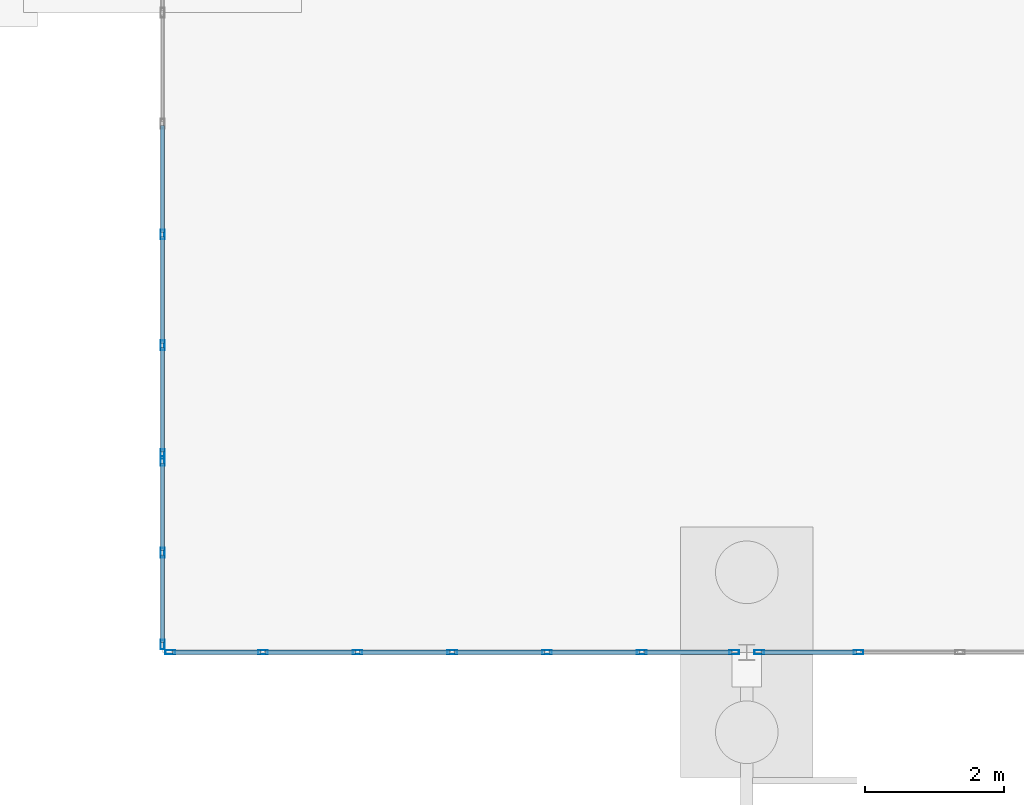
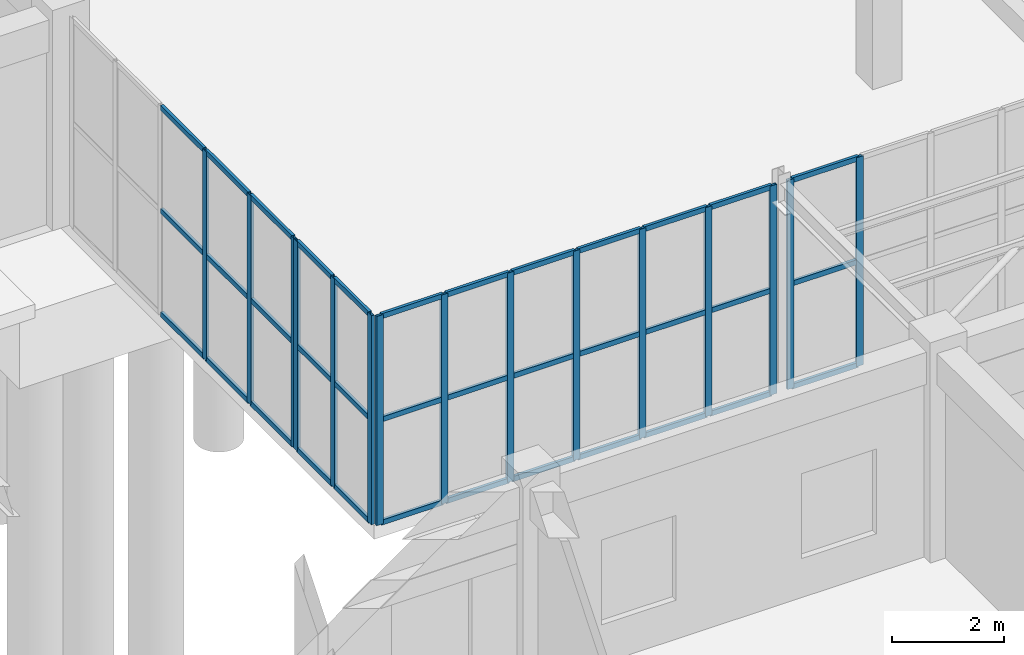
# One storey, part 67 of 192: 51 members, 4 elements without a shape of their own.
"""IFC4 building model written with IfcOpenShell, lengths in metres."""

import ifcopenshell
import ifcopenshell.guid

model = None  # the IFC model being written
_history = None  # IfcOwnerHistory: only IFC2X3 demands one
_inside = {}  # id of a spatial element -> (the spatial element, [elements in it])
_under = {}  # id of a project, library or spatial element -> (it, [spatial elements below it])
_declared = {}  # id of a project -> (the project, [libraries it declares])
_typed = {}  # id of a type object -> (the type object, [elements of that type])
_made_of = {}  # id of a material, layer set ... -> (it, [elements and type objects made of it])


def new_model(schema):
    """Start an empty IFC model of exactly this schema.

    Asked for "IFC4X3", IfcOpenShell would pick the latest addendum, in which some entities
    have other attributes; the version numbers below select the first issue.
    IFC2X3 requires an IfcOwnerHistory on every rooted entity: one is made here for all.
    """
    global model, _history
    if schema == "IFC4X3":
        model = ifcopenshell.file(schema_version=(4, 3, 0, 0))
    else:
        model = ifcopenshell.file(schema=schema)
    _inside.clear()
    _under.clear()
    _declared.clear()
    _typed.clear()
    _made_of.clear()
    _history = None
    if model.schema == "IFC2X3":
        org = make("IfcOrganization", Name="unknown")
        user = make(
            "IfcPersonAndOrganization",
            ThePerson=make("IfcPerson", FamilyName="unknown"),
            TheOrganization=org,
        )
        app = make(
            "IfcApplication",
            ApplicationDeveloper=org,
            Version="unknown",
            ApplicationFullName="unknown",
            ApplicationIdentifier="unknown",
        )
        _history = make(
            "IfcOwnerHistory",
            OwningUser=user,
            OwningApplication=app,
            ChangeAction="ADDED",
            CreationDate=0,
        )
    return model


def make(cls, **values):
    """One entity of the class cls with the attributes given. An attribute that is None is left unset."""
    return model.create_entity(
        cls, **{name: value for name, value in values.items() if value is not None}
    )


def rooted(cls, **values):
    """An entity with a GlobalId (a new one), such as an element, a storey or a relation."""
    return make(cls, GlobalId=ifcopenshell.guid.new(), OwnerHistory=_history, **values)


def si_unit(unit_type, name, prefix=None):
    """IfcSIUnit, for example si_unit("LENGTHUNIT", "METRE", prefix="MILLI")."""
    return make("IfcSIUnit", UnitType=unit_type, Prefix=prefix, Name=name)


def assignment(units):
    """IfcUnitAssignment: the units of a project."""
    return None if units is None else make("IfcUnitAssignment", Units=units)


def point(xyz):
    """IfcCartesianPoint."""
    return None if xyz is None else make("IfcCartesianPoint", Coordinates=xyz)


def direction(xyz):
    """IfcDirection."""
    return None if xyz is None else make("IfcDirection", DirectionRatios=xyz)


def frame(location, z_axis=None, x_axis=None):
    """IfcAxis2Placement3D, a coordinate frame: its origin and axes. An axis left out is left unset."""
    return make(
        "IfcAxis2Placement3D",
        Location=point(location),
        Axis=direction(z_axis),
        RefDirection=direction(x_axis),
    )


def frame_2d(location, x_axis=None):
    """IfcAxis2Placement2D, a coordinate frame in the plane: its origin and x axis."""
    return make(
        "IfcAxis2Placement2D", Location=point(location), RefDirection=direction(x_axis)
    )


def origin():
    """The frame at (0, 0, 0) with its axes left unset."""
    return frame((0.0, 0.0, 0.0))


def origin_2d():
    """The frame at (0, 0) in the plane with its x axis left unset."""
    return frame_2d((0.0, 0.0))


def place(relative_to, where):
    """IfcLocalPlacement: puts the frame where relative to a parent placement (None: the world)."""
    return make(
        "IfcLocalPlacement", PlacementRelTo=relative_to, RelativePlacement=where
    )


def context(
    kind, dimensions, precision=None, world=None, true_north=None, identifier=None
):
    """IfcGeometricRepresentationContext, for example the 3D "Model" context."""
    return make(
        "IfcGeometricRepresentationContext",
        ContextIdentifier=identifier,
        ContextType=kind,
        CoordinateSpaceDimension=dimensions,
        Precision=precision,
        WorldCoordinateSystem=world,
        TrueNorth=true_north,
    )


def subcontext(parent, identifier, kind, view, scale=None):
    """IfcGeometricRepresentationSubContext, for example "Body" below "Model"."""
    return make(
        "IfcGeometricRepresentationSubContext",
        ContextIdentifier=identifier,
        ContextType=kind,
        ParentContext=parent,
        TargetScale=scale,
        TargetView=view,
    )


def project(units=None, contexts=None):
    """IfcProject with its units and contexts."""
    return rooted(
        "IfcProject",
        Name="project",
        RepresentationContexts=contexts,
        UnitsInContext=assignment(units),
    )


def spatial(cls, under=None, at=None, **own):
    """A site, building, storey or space (cls), placed at a placement, below another one or the project."""
    s = rooted(cls, ObjectPlacement=at, **own)
    if under is not None:
        _under.setdefault(under.id(), (under, []))[1].append(s)
    return s


def profile(cls, at=None, kind="AREA", **sizes):
    """A parametric profile (cls). Its sizes go by their IFC names, for example OverallWidth=200.0."""
    return make(cls, ProfileType=kind, Position=at, **sizes)


def hollow_rectangle(**sizes):
    """IfcRectangleHollowProfileDef."""
    return profile("IfcRectangleHollowProfileDef", **sizes)


def extrude(swept, where, along, depth):
    """IfcExtrudedAreaSolid: the profile swept, set in the frame where, extruded along a direction by depth."""
    return make(
        "IfcExtrudedAreaSolid",
        SweptArea=swept,
        Position=where,
        ExtrudedDirection=direction(along),
        Depth=depth,
    )


def shape(context_of_items, identifier, shape_type, items):
    """IfcShapeRepresentation: the items that make up one representation, for example the "Body"."""
    return make(
        "IfcShapeRepresentation",
        ContextOfItems=context_of_items,
        RepresentationIdentifier=identifier,
        RepresentationType=shape_type,
        Items=items,
    )


def material(Name=None, Category=None):
    """IfcMaterial."""
    return make("IfcMaterial", Name=Name, Category=Category)


def layer(
    of_material, thickness, ventilated=None, Name=None, Category=None, Priority=None
):
    """IfcMaterialLayer: one layer of a wall or slab, of a material (None: an air gap)."""
    return make(
        "IfcMaterialLayer",
        Material=of_material,
        LayerThickness=thickness,
        IsVentilated=ventilated,
        Name=Name,
        Category=Category,
        Priority=Priority,
    )


def layer_set(layers, Name=None):
    """IfcMaterialLayerSet."""
    return make("IfcMaterialLayerSet", MaterialLayers=layers, LayerSetName=Name)


def material_profile(
    of_material, cross_section, Name=None, Category=None, Priority=None
):
    """IfcMaterialProfile: a cross section and its material."""
    return make(
        "IfcMaterialProfile",
        Name=Name,
        Material=of_material,
        Profile=cross_section,
        Priority=Priority,
        Category=Category,
    )


def profile_set(profiles, Name=None, composite=None):
    """IfcMaterialProfileSet."""
    return make(
        "IfcMaterialProfileSet",
        Name=Name,
        MaterialProfiles=profiles,
        CompositeProfile=composite,
    )


def made_of(thing, what):
    """Note that an element or type object is made of a material, layer set ...; save() writes the relation."""
    if what is not None:
        _made_of.setdefault(what.id(), (what, []))[1].append(thing)
    return thing


def type_object(cls, material=None, **own):
    """A type object (cls), such as IfcWallType, which elements share."""
    return made_of(rooted(cls, **own), material)


def element(
    cls,
    number,
    at=None,
    inside=None,
    cuts=None,
    type_object=None,
    material=None,
    context=None,
    identifier="Body",
    shape_type=None,
    held_by="IfcProductDefinitionShape",
    body=None,
    shapes=None,
    **own,
):
    """One element of the class cls, such as IfcWall. Its Tag is "e" and its number.

    at: its placement. inside: the storey or other place that contains it. cuts: it is an
    opening in that element (IfcRelVoidsElement). A single representation is given by context,
    identifier, shape_type and body (its items); several are given by shapes. held_by: the class
    of the entity that holds the representations. save() writes the other relations.
    """
    e = rooted(cls, Tag="e%d" % number, ObjectPlacement=at, **own)
    if body is not None:
        shapes = [shape(context, identifier, shape_type, body)]
    if shapes is not None:
        e.Representation = make(held_by, Representations=shapes)
    if inside is not None:
        _inside.setdefault(inside.id(), (inside, []))[1].append(e)
    if cuts is not None:
        rooted(
            "IfcRelVoidsElement", RelatingBuildingElement=cuts, RelatedOpeningElement=e
        )
    if type_object is not None:
        _typed.setdefault(type_object.id(), (type_object, []))[1].append(e)
    return made_of(e, material)


def aggregate(whole, parts):
    """IfcRelAggregates: a whole, such as a stair, and the parts it consists of."""
    return rooted("IfcRelAggregates", RelatingObject=whole, RelatedObjects=parts)


def save(model, path):
    """Write the relations noted so far, then the file.

    IfcRelAggregates (storeys below a building ...), IfcRelContainedInSpatialStructure (elements
    in a storey), IfcRelDefinesByType, IfcRelAssociatesMaterial and IfcRelDeclares: one each for
    every whole, place, type object, material and project.
    """
    for whole, parts in _under.values():
        aggregate(whole, parts)
    for where, things in _inside.values():
        rooted(
            "IfcRelContainedInSpatialStructure",
            RelatedElements=things,
            RelatingStructure=where,
        )
    for kind, things in _typed.values():
        rooted("IfcRelDefinesByType", RelatedObjects=things, RelatingType=kind)
    for what, things in _made_of.values():
        rooted("IfcRelAssociatesMaterial", RelatedObjects=things, RelatingMaterial=what)
    for by, libraries in _declared.values():
        rooted("IfcRelDeclares", RelatingContext=by, RelatedDefinitions=libraries)
    model.write(path)


model = new_model("IFC4")

# Units and contexts
model_context = context("Model", 3, precision=1e-05, world=origin(), true_north=direction((0.0, 1.0)))
body_context = subcontext(model_context, "Body", "Model", "MODEL_VIEW")
ifc_project = project(units=[si_unit("LENGTHUNIT", "METRE"), si_unit("AREAUNIT", "SQUARE_METRE"), si_unit("VOLUMEUNIT", "CUBIC_METRE"), si_unit("PLANEANGLEUNIT", "RADIAN"), si_unit("MASSUNIT", "GRAM", prefix="KILO")], contexts=[model_context])

# Site, building, storey
site_placement = place(None, origin())
site = spatial("IfcSite", under=ifc_project, at=site_placement, CompositionType="ELEMENT")
building_placement = place(site_placement, origin())
building = spatial("IfcBuilding", under=site, at=building_placement, Name="Trelvath General Hospital", CompositionType="ELEMENT")
storey_placement = place(building_placement, origin())
storey = spatial("IfcBuildingStorey", under=building, at=storey_placement, Name="L00", CompositionType="ELEMENT", Elevation=0.0)

# Curtain wall, members
ifc_material_1 = material(Name="Anodised aluminium and low-E glass", Category="aluminium")
ifc_layer_1 = layer(ifc_material_1, 0.139892578125)
ifc_layer_set_1 = layer_set([ifc_layer_1], Name="Anodised aluminium and low-E glass")
curtain_wall_type_1 = type_object("IfcCurtainWallType", Name="CW CrystalCube 817 456 14", PredefinedType="USERDEFINED", material=ifc_layer_set_1)
curtain_wall_1_placement = place(storey_placement, origin())
curtain_wall_1 = element("IfcCurtainWall", 1, at=curtain_wall_1_placement, inside=storey, type_object=curtain_wall_type_1, Name="Crystal Cube Curtain Wall CUBE-E-T0 S1 L00", ObjectType="Unitised Glazed Curtain Wall", PredefinedType="USERDEFINED")
ifc_material_2 = material(Name="Anodised aluminium", Category="aluminium")
ifc_material_profile_1 = material_profile(ifc_material_2, hollow_rectangle(XDim=0.06005859375, YDim=0.139892578125, WallThickness=0.00390625, at=origin_2d()), Name="RHS60x140x4")
ifc_profile_set_1 = profile_set([ifc_material_profile_1], Name="Anodised aluminium")
member_type_1 = type_object("IfcMemberType", Name="CurtainMullion 60x140", PredefinedType="MULLION", material=ifc_profile_set_1)
member_1_placement = place(storey_placement, frame((100.6201171875, 30.800048828125, 0.0), z_axis=(0.0, 0.0, 1.0), x_axis=(0.0, -1.0, 0.0)))
member_1 = element("IfcMember", 2, at=member_1_placement, type_object=member_type_1, Name="CW-106 mullion 1", PredefinedType="MULLION", context=body_context, shape_type="SweptSolid", body=[
    extrude(hollow_rectangle(XDim=0.06005859375, YDim=0.139892578125, WallThickness=0.00390625, at=origin_2d()), origin(), (0.0, 0.0, 1.0), 4.56005859375),
])
member_2_placement = place(storey_placement, frame((99.288330078125, 30.800048828125, 0.0), z_axis=(0.0, 0.0, 1.0), x_axis=(0.0, -1.0, 0.0)))
member_2 = element("IfcMember", 3, at=member_2_placement, type_object=member_type_1, Name="CW-106 mullion 2", PredefinedType="MULLION", context=body_context, shape_type="SweptSolid", body=[
    extrude(hollow_rectangle(XDim=0.06005859375, YDim=0.139892578125, WallThickness=0.00390625, at=origin_2d()), origin(), (0.0, 0.0, 1.0), 4.56005859375),
])
member_3_placement = place(storey_placement, frame((97.9267578125, 30.800048828125, 0.0), z_axis=(0.0, 0.0, 1.0), x_axis=(0.0, -1.0, 0.0)))
member_3 = element("IfcMember", 4, at=member_3_placement, type_object=member_type_1, Name="CW-106 mullion 3", PredefinedType="MULLION", context=body_context, shape_type="SweptSolid", body=[
    extrude(hollow_rectangle(XDim=0.06005859375, YDim=0.139892578125, WallThickness=0.00390625, at=origin_2d()), origin(), (0.0, 0.0, 1.0), 4.56005859375),
])
member_4_placement = place(storey_placement, frame((96.56494140625, 30.800048828125, 0.0), z_axis=(0.0, 0.0, 1.0), x_axis=(0.0, -1.0, 0.0)))
member_4 = element("IfcMember", 5, at=member_4_placement, type_object=member_type_1, Name="CW-106 mullion 4", PredefinedType="MULLION", context=body_context, shape_type="SweptSolid", body=[
    extrude(hollow_rectangle(XDim=0.06005859375, YDim=0.139892578125, WallThickness=0.00390625, at=origin_2d()), origin(), (0.0, 0.0, 1.0), 4.56005859375),
])
member_5_placement = place(storey_placement, frame((95.203369140625, 30.800048828125, 0.0), z_axis=(0.0, 0.0, 1.0), x_axis=(0.0, -1.0, 0.0)))
member_5 = element("IfcMember", 6, at=member_5_placement, type_object=member_type_1, Name="CW-106 mullion 5", PredefinedType="MULLION", context=body_context, shape_type="SweptSolid", body=[
    extrude(hollow_rectangle(XDim=0.06005859375, YDim=0.139892578125, WallThickness=0.00390625, at=origin_2d()), origin(), (0.0, 0.0, 1.0), 4.56005859375),
])
member_6_placement = place(storey_placement, frame((93.841552734375, 30.800048828125, 0.0), z_axis=(0.0, 0.0, 1.0), x_axis=(0.0, -1.0, 0.0)))
member_6 = element("IfcMember", 7, at=member_6_placement, type_object=member_type_1, Name="CW-106 mullion 6", PredefinedType="MULLION", context=body_context, shape_type="SweptSolid", body=[
    extrude(hollow_rectangle(XDim=0.06005859375, YDim=0.139892578125, WallThickness=0.00390625, at=origin_2d()), origin(), (0.0, 0.0, 1.0), 4.56005859375),
])
member_7_placement = place(storey_placement, frame((92.510009765625, 30.800048828125, 0.0), z_axis=(0.0, 0.0, 1.0), x_axis=(0.0, -1.0, 0.0)))
member_7 = element("IfcMember", 8, at=member_7_placement, type_object=member_type_1, Name="CW-106 mullion 7", PredefinedType="MULLION", context=body_context, shape_type="SweptSolid", body=[
    extrude(hollow_rectangle(XDim=0.06005859375, YDim=0.139892578125, WallThickness=0.00390625, at=origin_2d()), origin(), (0.0, 0.0, 1.0), 4.56005859375),
])

ifc_material_3 = material(Name="Anodised aluminium and low-E glass", Category="aluminium")
ifc_layer_2 = layer(ifc_material_3, 0.139892578125)
ifc_layer_set_2 = layer_set([ifc_layer_2], Name="Anodised aluminium and low-E glass")
curtain_wall_type_2 = type_object("IfcCurtainWallType", Name="CW CrystalCube 583 456 14", PredefinedType="USERDEFINED", material=ifc_layer_set_2)
curtain_wall_2_placement = place(storey_placement, origin())
curtain_wall_2 = element("IfcCurtainWall", 9, at=curtain_wall_2_placement, inside=storey, type_object=curtain_wall_type_2, Name="Crystal Cube Curtain Wall CUBE-E-T0 S2 L00", ObjectType="Unitised Glazed Curtain Wall", PredefinedType="USERDEFINED")
member_8_placement = place(storey_placement, frame((102.407470703125, 30.800048828125, 0.0), z_axis=(0.0, 0.0, 1.0), x_axis=(0.0, -1.0, 0.0)))
member_8 = element("IfcMember", 10, at=member_8_placement, type_object=member_type_1, Name="CW-107 mullion 4", PredefinedType="MULLION", context=body_context, shape_type="SweptSolid", body=[
    extrude(hollow_rectangle(XDim=0.06005859375, YDim=0.139892578125, WallThickness=0.00390625, at=origin_2d()), origin(), (0.0, 0.0, 1.0), 4.56005859375),
])
member_9_placement = place(storey_placement, frame((100.97998046875, 30.800048828125, 0.0), z_axis=(0.0, 0.0, 1.0), x_axis=(0.0, -1.0, 0.0)))
member_9 = element("IfcMember", 11, at=member_9_placement, type_object=member_type_1, Name="CW-107 mullion 5", PredefinedType="MULLION", context=body_context, shape_type="SweptSolid", body=[
    extrude(hollow_rectangle(XDim=0.06005859375, YDim=0.139892578125, WallThickness=0.00390625, at=origin_2d()), origin(), (0.0, 0.0, 1.0), 4.56005859375),
])

ifc_material_4 = material(Name="Anodised aluminium and low-E glass", Category="aluminium")
ifc_layer_3 = layer(ifc_material_4, 0.139892578125)
ifc_layer_set_3 = layer_set([ifc_layer_3], Name="Anodised aluminium and low-E glass")
curtain_wall_type_3 = type_object("IfcCurtainWallType", Name="CW CrystalCube 270 456 14", PredefinedType="USERDEFINED", material=ifc_layer_set_3)
curtain_wall_3_placement = place(storey_placement, origin())
curtain_wall_3 = element("IfcCurtainWall", 12, at=curtain_wall_3_placement, inside=storey, type_object=curtain_wall_type_3, Name="Crystal Cube Curtain Wall CUBE-E-T0 W1 L00", ObjectType="Unitised Glazed Curtain Wall", PredefinedType="USERDEFINED")
member_10_placement = place(storey_placement, frame((92.39990234375, 30.909912109375, 0.0), z_axis=(0.0, 0.0, 1.0), x_axis=(-1.0, 0.0, 0.0)))
member_10 = element("IfcMember", 13, at=member_10_placement, type_object=member_type_1, Name="CW-117 mullion 1", PredefinedType="MULLION", context=body_context, shape_type="SweptSolid", body=[
    extrude(hollow_rectangle(XDim=0.06005859375, YDim=0.139892578125, WallThickness=0.00390625, at=origin_2d()), origin(), (0.0, 0.0, 1.0), 4.56005859375),
])
member_11_placement = place(storey_placement, frame((92.39990234375, 32.22998046875, 0.0), z_axis=(0.0, 0.0, 1.0), x_axis=(-1.0, 0.0, 0.0)))
member_11 = element("IfcMember", 14, at=member_11_placement, type_object=member_type_1, Name="CW-117 mullion 2", PredefinedType="MULLION", context=body_context, shape_type="SweptSolid", body=[
    extrude(hollow_rectangle(XDim=0.06005859375, YDim=0.139892578125, WallThickness=0.00390625, at=origin_2d()), origin(), (0.0, 0.0, 1.0), 4.56005859375),
])
member_12_placement = place(storey_placement, frame((92.39990234375, 33.550048828125, 0.0), z_axis=(0.0, 0.0, 1.0), x_axis=(-1.0, 0.0, 0.0)))
member_12 = element("IfcMember", 15, at=member_12_placement, type_object=member_type_1, Name="CW-117 mullion 3", PredefinedType="MULLION", context=body_context, shape_type="SweptSolid", body=[
    extrude(hollow_rectangle(XDim=0.06005859375, YDim=0.139892578125, WallThickness=0.00390625, at=origin_2d()), origin(), (0.0, 0.0, 1.0), 4.56005859375),
])

ifc_material_5 = material(Name="Anodised aluminium and low-E glass", Category="aluminium")
ifc_layer_4 = layer(ifc_material_5, 0.139892578125)
ifc_layer_set_4 = layer_set([ifc_layer_4], Name="Anodised aluminium and low-E glass")
curtain_wall_type_4 = type_object("IfcCurtainWallType", Name="CW CrystalCube 797 456 14", PredefinedType="USERDEFINED", material=ifc_layer_set_4)
curtain_wall_4_placement = place(storey_placement, origin())
curtain_wall_4 = element("IfcCurtainWall", 16, at=curtain_wall_4_placement, inside=storey, type_object=curtain_wall_type_4, Name="Crystal Cube Curtain Wall CUBE-E-T0 W2 L00", ObjectType="Unitised Glazed Curtain Wall", PredefinedType="USERDEFINED")
member_13_placement = place(storey_placement, frame((92.39990234375, 33.64990234375, 0.0), z_axis=(0.0, 0.0, 1.0), x_axis=(-1.0, 0.0, 0.0)))
member_13 = element("IfcMember", 17, at=member_13_placement, type_object=member_type_1, Name="CW-119 mullion 1", PredefinedType="MULLION", context=body_context, shape_type="SweptSolid", body=[
    extrude(hollow_rectangle(XDim=0.06005859375, YDim=0.139892578125, WallThickness=0.00390625, at=origin_2d()), origin(), (0.0, 0.0, 1.0), 4.56005859375),
])
member_14_placement = place(storey_placement, frame((92.39990234375, 35.214111328125, 0.0), z_axis=(0.0, 0.0, 1.0), x_axis=(-1.0, 0.0, 0.0)))
member_14 = element("IfcMember", 18, at=member_14_placement, type_object=member_type_1, Name="CW-119 mullion 2", PredefinedType="MULLION", context=body_context, shape_type="SweptSolid", body=[
    extrude(hollow_rectangle(XDim=0.06005859375, YDim=0.139892578125, WallThickness=0.00390625, at=origin_2d()), origin(), (0.0, 0.0, 1.0), 4.56005859375),
])
member_15_placement = place(storey_placement, frame((92.39990234375, 36.80810546875, 0.0), z_axis=(0.0, 0.0, 1.0), x_axis=(-1.0, 0.0, 0.0)))
member_15 = element("IfcMember", 19, at=member_15_placement, type_object=member_type_1, Name="CW-119 mullion 3", PredefinedType="MULLION", context=body_context, shape_type="SweptSolid", body=[
    extrude(hollow_rectangle(XDim=0.06005859375, YDim=0.139892578125, WallThickness=0.00390625, at=origin_2d()), origin(), (0.0, 0.0, 1.0), 4.56005859375),
])

# Member
ifc_material_6 = material(Name="Anodised aluminium", Category="aluminium")
ifc_material_profile_2 = material_profile(ifc_material_6, hollow_rectangle(XDim=0.06005859375, YDim=0.110107421875, WallThickness=0.00390625, at=origin_2d()), Name="RHS60x110x4")
ifc_profile_set_2 = profile_set([ifc_material_profile_2], Name="Anodised aluminium")
member_type_2 = type_object("IfcMemberType", Name="CurtainTransom 60x110", PredefinedType="USERDEFINED", material=ifc_profile_set_2)
member_16_placement = place(storey_placement, frame((100.590087890625, 30.800048828125, 0.030029296875), z_axis=(-1.0, 0.0, 0.0), x_axis=(0.0, -1.0, 0.0)))
member_16 = element("IfcMember", 20, at=member_16_placement, type_object=member_type_2, Name="CW-106 transom 1.1", ObjectType="TRANSOM", PredefinedType="USERDEFINED", context=body_context, shape_type="SweptSolid", body=[
    extrude(hollow_rectangle(XDim=0.06005859375, YDim=0.110107421875, WallThickness=0.00390625, at=origin_2d()), origin(), (0.0, 0.0, 1.0), 1.271728515625),
])

member_17_placement = place(storey_placement, frame((100.590087890625, 30.800048828125, 2.280029296875), z_axis=(-1.0, 0.0, 0.0), x_axis=(0.0, -1.0, 0.0)))
member_17 = element("IfcMember", 21, at=member_17_placement, type_object=member_type_2, Name="CW-106 transom 1.2", ObjectType="TRANSOM", PredefinedType="USERDEFINED", context=body_context, shape_type="SweptSolid", body=[
    extrude(hollow_rectangle(XDim=0.06005859375, YDim=0.110107421875, WallThickness=0.00390625, at=origin_2d()), origin(), (0.0, 0.0, 1.0), 1.271728515625),
])

member_18_placement = place(storey_placement, frame((100.590087890625, 30.800048828125, 4.530029296875), z_axis=(-1.0, 0.0, 0.0), x_axis=(0.0, -1.0, 0.0)))
member_18 = element("IfcMember", 22, at=member_18_placement, type_object=member_type_2, Name="CW-106 transom 1.3", ObjectType="TRANSOM", PredefinedType="USERDEFINED", context=body_context, shape_type="SweptSolid", body=[
    extrude(hollow_rectangle(XDim=0.06005859375, YDim=0.110107421875, WallThickness=0.00390625, at=origin_2d()), origin(), (0.0, 0.0, 1.0), 1.271728515625),
])

member_19_placement = place(storey_placement, frame((99.25830078125, 30.800048828125, 0.030029296875), z_axis=(-1.0, 0.0, 0.0), x_axis=(0.0, -1.0, 0.0)))
member_19 = element("IfcMember", 23, at=member_19_placement, type_object=member_type_2, Name="CW-106 transom 2.1", ObjectType="TRANSOM", PredefinedType="USERDEFINED", context=body_context, shape_type="SweptSolid", body=[
    extrude(hollow_rectangle(XDim=0.06005859375, YDim=0.110107421875, WallThickness=0.00390625, at=origin_2d()), origin(), (0.0, 0.0, 1.0), 1.301513671875),
])

member_20_placement = place(storey_placement, frame((99.25830078125, 30.800048828125, 2.280029296875), z_axis=(-1.0, 0.0, 0.0), x_axis=(0.0, -1.0, 0.0)))
member_20 = element("IfcMember", 24, at=member_20_placement, type_object=member_type_2, Name="CW-106 transom 2.2", ObjectType="TRANSOM", PredefinedType="USERDEFINED", context=body_context, shape_type="SweptSolid", body=[
    extrude(hollow_rectangle(XDim=0.06005859375, YDim=0.110107421875, WallThickness=0.00390625, at=origin_2d()), origin(), (0.0, 0.0, 1.0), 1.301513671875),
])

member_21_placement = place(storey_placement, frame((99.25830078125, 30.800048828125, 4.530029296875), z_axis=(-1.0, 0.0, 0.0), x_axis=(0.0, -1.0, 0.0)))
member_21 = element("IfcMember", 25, at=member_21_placement, type_object=member_type_2, Name="CW-106 transom 2.3", ObjectType="TRANSOM", PredefinedType="USERDEFINED", context=body_context, shape_type="SweptSolid", body=[
    extrude(hollow_rectangle(XDim=0.06005859375, YDim=0.110107421875, WallThickness=0.00390625, at=origin_2d()), origin(), (0.0, 0.0, 1.0), 1.301513671875),
])

member_22_placement = place(storey_placement, frame((97.896728515625, 30.800048828125, 0.030029296875), z_axis=(-1.0, 0.0, 0.0), x_axis=(0.0, -1.0, 0.0)))
member_22 = element("IfcMember", 26, at=member_22_placement, type_object=member_type_2, Name="CW-106 transom 3.1", ObjectType="TRANSOM", PredefinedType="USERDEFINED", context=body_context, shape_type="SweptSolid", body=[
    extrude(hollow_rectangle(XDim=0.06005859375, YDim=0.110107421875, WallThickness=0.00390625, at=origin_2d()), origin(), (0.0, 0.0, 1.0), 1.3017578125),
])

member_23_placement = place(storey_placement, frame((97.896728515625, 30.800048828125, 2.280029296875), z_axis=(-1.0, 0.0, 0.0), x_axis=(0.0, -1.0, 0.0)))
member_23 = element("IfcMember", 27, at=member_23_placement, type_object=member_type_2, Name="CW-106 transom 3.2", ObjectType="TRANSOM", PredefinedType="USERDEFINED", context=body_context, shape_type="SweptSolid", body=[
    extrude(hollow_rectangle(XDim=0.06005859375, YDim=0.110107421875, WallThickness=0.00390625, at=origin_2d()), origin(), (0.0, 0.0, 1.0), 1.3017578125),
])

member_24_placement = place(storey_placement, frame((97.896728515625, 30.800048828125, 4.530029296875), z_axis=(-1.0, 0.0, 0.0), x_axis=(0.0, -1.0, 0.0)))
member_24 = element("IfcMember", 28, at=member_24_placement, type_object=member_type_2, Name="CW-106 transom 3.3", ObjectType="TRANSOM", PredefinedType="USERDEFINED", context=body_context, shape_type="SweptSolid", body=[
    extrude(hollow_rectangle(XDim=0.06005859375, YDim=0.110107421875, WallThickness=0.00390625, at=origin_2d()), origin(), (0.0, 0.0, 1.0), 1.3017578125),
])

member_25_placement = place(storey_placement, frame((96.534912109375, 30.800048828125, 0.030029296875), z_axis=(-1.0, 0.0, 0.0), x_axis=(0.0, -1.0, 0.0)))
member_25 = element("IfcMember", 29, at=member_25_placement, type_object=member_type_2, Name="CW-106 transom 4.1", ObjectType="TRANSOM", PredefinedType="USERDEFINED", context=body_context, shape_type="SweptSolid", body=[
    extrude(hollow_rectangle(XDim=0.06005859375, YDim=0.110107421875, WallThickness=0.00390625, at=origin_2d()), origin(), (0.0, 0.0, 1.0), 1.301513671875),
])

member_26_placement = place(storey_placement, frame((96.534912109375, 30.800048828125, 2.280029296875), z_axis=(-1.0, 0.0, 0.0), x_axis=(0.0, -1.0, 0.0)))
member_26 = element("IfcMember", 30, at=member_26_placement, type_object=member_type_2, Name="CW-106 transom 4.2", ObjectType="TRANSOM", PredefinedType="USERDEFINED", context=body_context, shape_type="SweptSolid", body=[
    extrude(hollow_rectangle(XDim=0.06005859375, YDim=0.110107421875, WallThickness=0.00390625, at=origin_2d()), origin(), (0.0, 0.0, 1.0), 1.301513671875),
])

member_27_placement = place(storey_placement, frame((96.534912109375, 30.800048828125, 4.530029296875), z_axis=(-1.0, 0.0, 0.0), x_axis=(0.0, -1.0, 0.0)))
member_27 = element("IfcMember", 31, at=member_27_placement, type_object=member_type_2, Name="CW-106 transom 4.3", ObjectType="TRANSOM", PredefinedType="USERDEFINED", context=body_context, shape_type="SweptSolid", body=[
    extrude(hollow_rectangle(XDim=0.06005859375, YDim=0.110107421875, WallThickness=0.00390625, at=origin_2d()), origin(), (0.0, 0.0, 1.0), 1.301513671875),
])

member_28_placement = place(storey_placement, frame((95.17333984375, 30.800048828125, 0.030029296875), z_axis=(-1.0, 0.0, 0.0), x_axis=(0.0, -1.0, 0.0)))
member_28 = element("IfcMember", 32, at=member_28_placement, type_object=member_type_2, Name="CW-106 transom 5.1", ObjectType="TRANSOM", PredefinedType="USERDEFINED", context=body_context, shape_type="SweptSolid", body=[
    extrude(hollow_rectangle(XDim=0.06005859375, YDim=0.110107421875, WallThickness=0.00390625, at=origin_2d()), origin(), (0.0, 0.0, 1.0), 1.3017578125),
])

member_29_placement = place(storey_placement, frame((95.17333984375, 30.800048828125, 2.280029296875), z_axis=(-1.0, 0.0, 0.0), x_axis=(0.0, -1.0, 0.0)))
member_29 = element("IfcMember", 33, at=member_29_placement, type_object=member_type_2, Name="CW-106 transom 5.2", ObjectType="TRANSOM", PredefinedType="USERDEFINED", context=body_context, shape_type="SweptSolid", body=[
    extrude(hollow_rectangle(XDim=0.06005859375, YDim=0.110107421875, WallThickness=0.00390625, at=origin_2d()), origin(), (0.0, 0.0, 1.0), 1.3017578125),
])

member_30_placement = place(storey_placement, frame((95.17333984375, 30.800048828125, 4.530029296875), z_axis=(-1.0, 0.0, 0.0), x_axis=(0.0, -1.0, 0.0)))
member_30 = element("IfcMember", 34, at=member_30_placement, type_object=member_type_2, Name="CW-106 transom 5.3", ObjectType="TRANSOM", PredefinedType="USERDEFINED", context=body_context, shape_type="SweptSolid", body=[
    extrude(hollow_rectangle(XDim=0.06005859375, YDim=0.110107421875, WallThickness=0.00390625, at=origin_2d()), origin(), (0.0, 0.0, 1.0), 1.3017578125),
])

member_31_placement = place(storey_placement, frame((93.811767578125, 30.800048828125, 0.030029296875), z_axis=(-1.0, 0.0, 0.0), x_axis=(0.0, -1.0, 0.0)))
member_31 = element("IfcMember", 35, at=member_31_placement, type_object=member_type_2, Name="CW-106 transom 6.1", ObjectType="TRANSOM", PredefinedType="USERDEFINED", context=body_context, shape_type="SweptSolid", body=[
    extrude(hollow_rectangle(XDim=0.06005859375, YDim=0.110107421875, WallThickness=0.00390625, at=origin_2d()), origin(), (0.0, 0.0, 1.0), 1.271728515625),
])

member_32_placement = place(storey_placement, frame((93.811767578125, 30.800048828125, 2.280029296875), z_axis=(-1.0, 0.0, 0.0), x_axis=(0.0, -1.0, 0.0)))
member_32 = element("IfcMember", 36, at=member_32_placement, type_object=member_type_2, Name="CW-106 transom 6.2", ObjectType="TRANSOM", PredefinedType="USERDEFINED", context=body_context, shape_type="SweptSolid", body=[
    extrude(hollow_rectangle(XDim=0.06005859375, YDim=0.110107421875, WallThickness=0.00390625, at=origin_2d()), origin(), (0.0, 0.0, 1.0), 1.271728515625),
])

member_33_placement = place(storey_placement, frame((93.811767578125, 30.800048828125, 4.530029296875), z_axis=(-1.0, 0.0, 0.0), x_axis=(0.0, -1.0, 0.0)))
member_33 = element("IfcMember", 37, at=member_33_placement, type_object=member_type_2, Name="CW-106 transom 6.3", ObjectType="TRANSOM", PredefinedType="USERDEFINED", context=body_context, shape_type="SweptSolid", body=[
    extrude(hollow_rectangle(XDim=0.06005859375, YDim=0.110107421875, WallThickness=0.00390625, at=origin_2d()), origin(), (0.0, 0.0, 1.0), 1.271728515625),
])

aggregate(curtain_wall_1, [member_1, member_2, member_3, member_4, member_5, member_6, member_7, member_16, member_17, member_18, member_19, member_20, member_21, member_22, member_23, member_24, member_25, member_26, member_27, member_28, member_29, member_30, member_31, member_32, member_33])

member_34_placement = place(storey_placement, frame((102.37744140625, 30.800048828125, 0.030029296875), z_axis=(-1.0, 0.0, 0.0), x_axis=(0.0, -1.0, 0.0)))
member_34 = element("IfcMember", 38, at=member_34_placement, type_object=member_type_2, Name="CW-107 transom 4.1", ObjectType="TRANSOM", PredefinedType="USERDEFINED", context=body_context, shape_type="SweptSolid", body=[
    extrude(hollow_rectangle(XDim=0.06005859375, YDim=0.110107421875, WallThickness=0.00390625, at=origin_2d()), origin(), (0.0, 0.0, 1.0), 1.367431640625),
])

member_35_placement = place(storey_placement, frame((102.37744140625, 30.800048828125, 2.280029296875), z_axis=(-1.0, 0.0, 0.0), x_axis=(0.0, -1.0, 0.0)))
member_35 = element("IfcMember", 39, at=member_35_placement, type_object=member_type_2, Name="CW-107 transom 4.2", ObjectType="TRANSOM", PredefinedType="USERDEFINED", context=body_context, shape_type="SweptSolid", body=[
    extrude(hollow_rectangle(XDim=0.06005859375, YDim=0.110107421875, WallThickness=0.00390625, at=origin_2d()), origin(), (0.0, 0.0, 1.0), 1.367431640625),
])

member_36_placement = place(storey_placement, frame((102.37744140625, 30.800048828125, 4.530029296875), z_axis=(-1.0, 0.0, 0.0), x_axis=(0.0, -1.0, 0.0)))
member_36 = element("IfcMember", 40, at=member_36_placement, type_object=member_type_2, Name="CW-107 transom 4.3", ObjectType="TRANSOM", PredefinedType="USERDEFINED", context=body_context, shape_type="SweptSolid", body=[
    extrude(hollow_rectangle(XDim=0.06005859375, YDim=0.110107421875, WallThickness=0.00390625, at=origin_2d()), origin(), (0.0, 0.0, 1.0), 1.367431640625),
])

aggregate(curtain_wall_2, [member_8, member_9, member_34, member_35, member_36])

member_37_placement = place(storey_placement, frame((92.39990234375, 30.93994140625, 0.030029296875), z_axis=(0.0, 1.0, 0.0), x_axis=(-1.0, 0.0, 0.0)))
member_37 = element("IfcMember", 41, at=member_37_placement, type_object=member_type_2, Name="CW-117 transom 1.1", ObjectType="TRANSOM", PredefinedType="USERDEFINED", context=body_context, shape_type="SweptSolid", body=[
    extrude(hollow_rectangle(XDim=0.06005859375, YDim=0.110107421875, WallThickness=0.00390625, at=origin_2d()), origin(), (0.0, 0.0, 1.0), 1.260009765625),
])

member_38_placement = place(storey_placement, frame((92.39990234375, 30.93994140625, 2.280029296875), z_axis=(0.0, 1.0, 0.0), x_axis=(-1.0, 0.0, 0.0)))
member_38 = element("IfcMember", 42, at=member_38_placement, type_object=member_type_2, Name="CW-117 transom 1.2", ObjectType="TRANSOM", PredefinedType="USERDEFINED", context=body_context, shape_type="SweptSolid", body=[
    extrude(hollow_rectangle(XDim=0.06005859375, YDim=0.110107421875, WallThickness=0.00390625, at=origin_2d()), origin(), (0.0, 0.0, 1.0), 1.260009765625),
])

member_39_placement = place(storey_placement, frame((92.39990234375, 30.93994140625, 4.530029296875), z_axis=(0.0, 1.0, 0.0), x_axis=(-1.0, 0.0, 0.0)))
member_39 = element("IfcMember", 43, at=member_39_placement, type_object=member_type_2, Name="CW-117 transom 1.3", ObjectType="TRANSOM", PredefinedType="USERDEFINED", context=body_context, shape_type="SweptSolid", body=[
    extrude(hollow_rectangle(XDim=0.06005859375, YDim=0.110107421875, WallThickness=0.00390625, at=origin_2d()), origin(), (0.0, 0.0, 1.0), 1.260009765625),
])

member_40_placement = place(storey_placement, frame((92.39990234375, 32.260009765625, 0.030029296875), z_axis=(0.0, 1.0, 0.0), x_axis=(-1.0, 0.0, 0.0)))
member_40 = element("IfcMember", 44, at=member_40_placement, type_object=member_type_2, Name="CW-117 transom 2.1", ObjectType="TRANSOM", PredefinedType="USERDEFINED", context=body_context, shape_type="SweptSolid", body=[
    extrude(hollow_rectangle(XDim=0.06005859375, YDim=0.110107421875, WallThickness=0.00390625, at=origin_2d()), origin(), (0.0, 0.0, 1.0), 1.260009765625),
])

member_41_placement = place(storey_placement, frame((92.39990234375, 32.260009765625, 2.280029296875), z_axis=(0.0, 1.0, 0.0), x_axis=(-1.0, 0.0, 0.0)))
member_41 = element("IfcMember", 45, at=member_41_placement, type_object=member_type_2, Name="CW-117 transom 2.2", ObjectType="TRANSOM", PredefinedType="USERDEFINED", context=body_context, shape_type="SweptSolid", body=[
    extrude(hollow_rectangle(XDim=0.06005859375, YDim=0.110107421875, WallThickness=0.00390625, at=origin_2d()), origin(), (0.0, 0.0, 1.0), 1.260009765625),
])

member_42_placement = place(storey_placement, frame((92.39990234375, 32.260009765625, 4.530029296875), z_axis=(0.0, 1.0, 0.0), x_axis=(-1.0, 0.0, 0.0)))
member_42 = element("IfcMember", 46, at=member_42_placement, type_object=member_type_2, Name="CW-117 transom 2.3", ObjectType="TRANSOM", PredefinedType="USERDEFINED", context=body_context, shape_type="SweptSolid", body=[
    extrude(hollow_rectangle(XDim=0.06005859375, YDim=0.110107421875, WallThickness=0.00390625, at=origin_2d()), origin(), (0.0, 0.0, 1.0), 1.260009765625),
])

aggregate(curtain_wall_3, [member_10, member_11, member_12, member_37, member_38, member_39, member_40, member_41, member_42])

member_43_placement = place(storey_placement, frame((92.39990234375, 33.679931640625, 0.030029296875), z_axis=(0.0, 1.0, 0.0), x_axis=(-1.0, 0.0, 0.0)))
member_43 = element("IfcMember", 47, at=member_43_placement, type_object=member_type_2, Name="CW-119 transom 1.1", ObjectType="TRANSOM", PredefinedType="USERDEFINED", context=body_context, shape_type="SweptSolid", body=[
    extrude(hollow_rectangle(XDim=0.06005859375, YDim=0.110107421875, WallThickness=0.00390625, at=origin_2d()), origin(), (0.0, 0.0, 1.0), 1.504150390625),
])

member_44_placement = place(storey_placement, frame((92.39990234375, 33.679931640625, 2.280029296875), z_axis=(0.0, 1.0, 0.0), x_axis=(-1.0, 0.0, 0.0)))
member_44 = element("IfcMember", 48, at=member_44_placement, type_object=member_type_2, Name="CW-119 transom 1.2", ObjectType="TRANSOM", PredefinedType="USERDEFINED", context=body_context, shape_type="SweptSolid", body=[
    extrude(hollow_rectangle(XDim=0.06005859375, YDim=0.110107421875, WallThickness=0.00390625, at=origin_2d()), origin(), (0.0, 0.0, 1.0), 1.504150390625),
])

member_45_placement = place(storey_placement, frame((92.39990234375, 33.679931640625, 4.530029296875), z_axis=(0.0, 1.0, 0.0), x_axis=(-1.0, 0.0, 0.0)))
member_45 = element("IfcMember", 49, at=member_45_placement, type_object=member_type_2, Name="CW-119 transom 1.3", ObjectType="TRANSOM", PredefinedType="USERDEFINED", context=body_context, shape_type="SweptSolid", body=[
    extrude(hollow_rectangle(XDim=0.06005859375, YDim=0.110107421875, WallThickness=0.00390625, at=origin_2d()), origin(), (0.0, 0.0, 1.0), 1.504150390625),
])

member_46_placement = place(storey_placement, frame((92.39990234375, 35.243896484375, 0.030029296875), z_axis=(0.0, 1.0, 0.0), x_axis=(-1.0, 0.0, 0.0)))
member_46 = element("IfcMember", 50, at=member_46_placement, type_object=member_type_2, Name="CW-119 transom 2.1", ObjectType="TRANSOM", PredefinedType="USERDEFINED", context=body_context, shape_type="SweptSolid", body=[
    extrude(hollow_rectangle(XDim=0.06005859375, YDim=0.110107421875, WallThickness=0.00390625, at=origin_2d()), origin(), (0.0, 0.0, 1.0), 1.5341796875),
])

member_47_placement = place(storey_placement, frame((92.39990234375, 35.243896484375, 2.280029296875), z_axis=(0.0, 1.0, 0.0), x_axis=(-1.0, 0.0, 0.0)))
member_47 = element("IfcMember", 51, at=member_47_placement, type_object=member_type_2, Name="CW-119 transom 2.2", ObjectType="TRANSOM", PredefinedType="USERDEFINED", context=body_context, shape_type="SweptSolid", body=[
    extrude(hollow_rectangle(XDim=0.06005859375, YDim=0.110107421875, WallThickness=0.00390625, at=origin_2d()), origin(), (0.0, 0.0, 1.0), 1.5341796875),
])

member_48_placement = place(storey_placement, frame((92.39990234375, 35.243896484375, 4.530029296875), z_axis=(0.0, 1.0, 0.0), x_axis=(-1.0, 0.0, 0.0)))
member_48 = element("IfcMember", 52, at=member_48_placement, type_object=member_type_2, Name="CW-119 transom 2.3", ObjectType="TRANSOM", PredefinedType="USERDEFINED", context=body_context, shape_type="SweptSolid", body=[
    extrude(hollow_rectangle(XDim=0.06005859375, YDim=0.110107421875, WallThickness=0.00390625, at=origin_2d()), origin(), (0.0, 0.0, 1.0), 1.5341796875),
])

member_49_placement = place(storey_placement, frame((92.39990234375, 36.837890625, 0.030029296875), z_axis=(0.0, 1.0, 0.0), x_axis=(-1.0, 0.0, 0.0)))
member_49 = element("IfcMember", 53, at=member_49_placement, type_object=member_type_2, Name="CW-119 transom 3.1", ObjectType="TRANSOM", PredefinedType="USERDEFINED", context=body_context, shape_type="SweptSolid", body=[
    extrude(hollow_rectangle(XDim=0.06005859375, YDim=0.110107421875, WallThickness=0.00390625, at=origin_2d()), origin(), (0.0, 0.0, 1.0), 1.5341796875),
])

member_50_placement = place(storey_placement, frame((92.39990234375, 36.837890625, 2.280029296875), z_axis=(0.0, 1.0, 0.0), x_axis=(-1.0, 0.0, 0.0)))
member_50 = element("IfcMember", 54, at=member_50_placement, type_object=member_type_2, Name="CW-119 transom 3.2", ObjectType="TRANSOM", PredefinedType="USERDEFINED", context=body_context, shape_type="SweptSolid", body=[
    extrude(hollow_rectangle(XDim=0.06005859375, YDim=0.110107421875, WallThickness=0.00390625, at=origin_2d()), origin(), (0.0, 0.0, 1.0), 1.5341796875),
])

member_51_placement = place(storey_placement, frame((92.39990234375, 36.837890625, 4.530029296875), z_axis=(0.0, 1.0, 0.0), x_axis=(-1.0, 0.0, 0.0)))
member_51 = element("IfcMember", 55, at=member_51_placement, type_object=member_type_2, Name="CW-119 transom 3.3", ObjectType="TRANSOM", PredefinedType="USERDEFINED", context=body_context, shape_type="SweptSolid", body=[
    extrude(hollow_rectangle(XDim=0.06005859375, YDim=0.110107421875, WallThickness=0.00390625, at=origin_2d()), origin(), (0.0, 0.0, 1.0), 1.5341796875),
])

aggregate(curtain_wall_4, [member_13, member_14, member_15, member_43, member_44, member_45, member_46, member_47, member_48, member_49, member_50, member_51])

save(model, "model.ifc")
